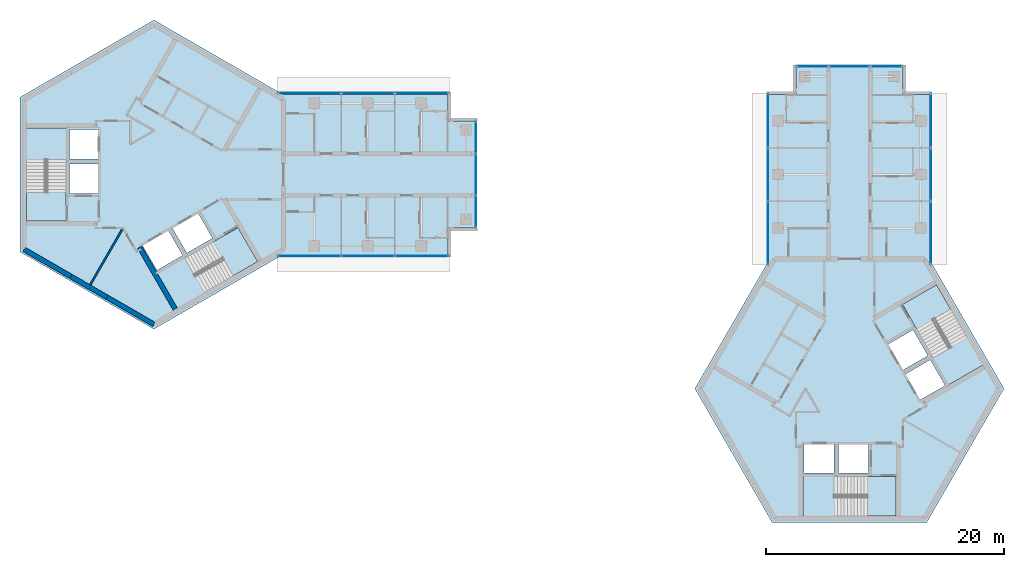
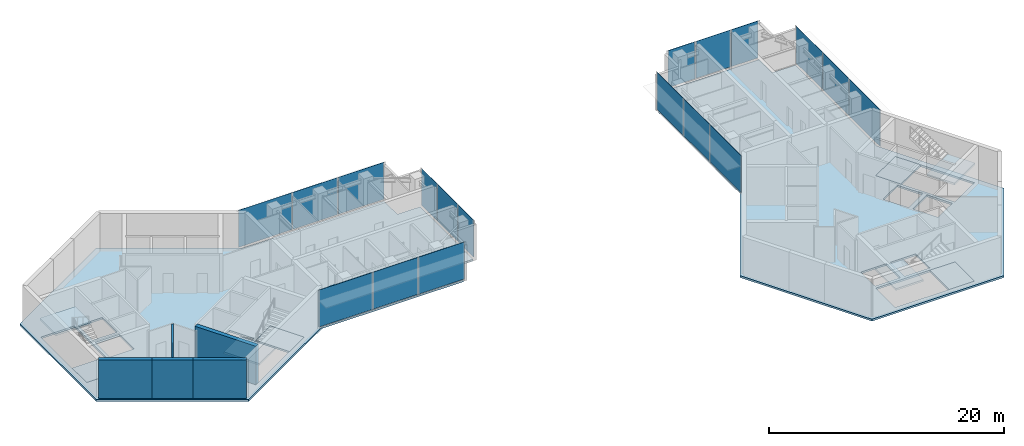
# One storey, part 4 of 11: 18 plates, 10 slabs, 5 walls, 10 elements without a shape of their own.
"""IFC4 building model written with IfcOpenShell, lengths in metres."""

from ifc_helpers import new_model, si_unit, direction, frame, frame_2d, origin, origin_2d, place, context, subcontext, project, spatial, polyline, rectangle, outline, extrude, material, layer, layer_set, type_object, element, aggregate, save


model = new_model("IFC4")

# Units and contexts
model_context = context("Model", 3, precision=1e-05, world=origin(), true_north=direction((0.0, 1.0)))
body_context = subcontext(model_context, "Body", "Model", "MODEL_VIEW")
ifc_project = project(units=[si_unit("LENGTHUNIT", "METRE"), si_unit("AREAUNIT", "SQUARE_METRE"), si_unit("VOLUMEUNIT", "CUBIC_METRE"), si_unit("PLANEANGLEUNIT", "RADIAN"), si_unit("MASSUNIT", "GRAM", prefix="KILO")], contexts=[model_context])

# Site, building, storey
site_placement = place(None, origin())
site = spatial("IfcSite", under=ifc_project, at=site_placement, CompositionType="ELEMENT")
building_placement = place(site_placement, origin())
building = spatial("IfcBuilding", under=site, at=building_placement, Name="Upepo Twin Towers", CompositionType="ELEMENT")
storey_placement = place(building_placement, frame((0.0, 0.0, 287.5)))
storey = spatial("IfcBuildingStorey", under=building, at=storey_placement, Name="L70", CompositionType="ELEMENT", Elevation=287.5)

# Curtain wall, plates
ifc_material_1 = material(Name="Aluminium and fritted glass", Category="aluminium")
curtain_wall_type = type_object("IfcCurtainWallType", Name="Tower curtain wall TW4, fritted glass", PredefinedType="NOTDEFINED", material=ifc_material_1)
curtain_wall_1_placement = place(storey_placement, origin())
curtain_wall_1 = element("IfcCurtainWall", 1, at=curtain_wall_1_placement, inside=storey, type_object=curtain_wall_type, Name="T1 L70 wing A flank L curtain wall", PredefinedType="NOTDEFINED")
ifc_material_2 = material(Name="Ceramic-fritted laminated glass", Category="glass")
ifc_layer_1 = layer(ifc_material_2, 0.031982421875)
ifc_layer_set_1 = layer_set([ifc_layer_1], Name="Fritted glass panel, 70 per cent dot frit, 32 mm double glazed")
plate_type_1 = type_object("IfcPlateType", Name="Fritted glass panel, 70 per cent dot frit, 32 mm double glazed", PredefinedType="CURTAIN_PANEL", material=ifc_layer_set_1)
plate_1_placement = place(storey_placement, frame((13.084716796875, 6.85009765625, 0.14990234375), z_axis=(0.0, 0.0, 1.0), x_axis=(1.0, 0.0, 0.0)))
plate_1 = element("IfcPlate", 2, at=plate_1_placement, type_object=plate_type_1, Name="T1 L70 wing A flank L curtain wall panel 1", PredefinedType="CURTAIN_PANEL", context=body_context, shape_type="SweptSolid", body=[
    extrude(rectangle(XDim=5.265380859375, YDim=0.031982421875, at=origin_2d()), origin(), (0.0, 0.0, 1.0), 3.85009765625),
])
plate_2_placement = place(storey_placement, frame((18.0, 6.85009765625, 0.14990234375), z_axis=(0.0, 0.0, 1.0), x_axis=(1.0, 0.0, 0.0)))
plate_2 = element("IfcPlate", 3, at=plate_2_placement, type_object=plate_type_1, Name="T1 L70 wing A flank L curtain wall panel 2", PredefinedType="CURTAIN_PANEL", context=body_context, shape_type="SweptSolid", body=[
    extrude(rectangle(XDim=4.43505859375, YDim=0.031982421875, at=origin_2d()), origin(), (0.0, 0.0, 1.0), 3.85009765625),
])
plate_3_placement = place(storey_placement, frame((22.53369140625, 6.85009765625, 0.14990234375), z_axis=(0.0, 0.0, 1.0), x_axis=(1.0, 0.0, 0.0)))
plate_3 = element("IfcPlate", 4, at=plate_3_placement, type_object=plate_type_1, Name="T1 L70 wing A flank L curtain wall panel 3", PredefinedType="CURTAIN_PANEL", context=body_context, shape_type="SweptSolid", body=[
    extrude(rectangle(XDim=4.50244140625, YDim=0.031982421875, at=origin_2d()), origin(), (0.0, 0.0, 1.0), 3.85009765625),
])
aggregate(curtain_wall_1, [plate_1, plate_2, plate_3])

curtain_wall_2_placement = place(storey_placement, origin())
curtain_wall_2 = element("IfcCurtainWall", 5, at=curtain_wall_2_placement, inside=storey, type_object=curtain_wall_type, Name="T1 L70 wing A flank R curtain wall", PredefinedType="NOTDEFINED")
plate_4_placement = place(storey_placement, frame((22.53369140625, -6.85009765625, 0.14990234375), z_axis=(0.0, 0.0, 1.0), x_axis=(-1.0, 0.0, 0.0)))
plate_4 = element("IfcPlate", 6, at=plate_4_placement, type_object=plate_type_1, Name="T1 L70 wing A flank R curtain wall panel 1", PredefinedType="CURTAIN_PANEL", context=body_context, shape_type="SweptSolid", body=[
    extrude(rectangle(XDim=4.50244140625, YDim=0.031982421875, at=origin_2d()), origin(), (0.0, 0.0, 1.0), 3.85009765625),
])
plate_5_placement = place(storey_placement, frame((18.0, -6.85009765625, 0.14990234375), z_axis=(0.0, 0.0, 1.0), x_axis=(-1.0, 0.0, 0.0)))
plate_5 = element("IfcPlate", 7, at=plate_5_placement, type_object=plate_type_1, Name="T1 L70 wing A flank R curtain wall panel 2", PredefinedType="CURTAIN_PANEL", context=body_context, shape_type="SweptSolid", body=[
    extrude(rectangle(XDim=4.43505859375, YDim=0.031982421875, at=origin_2d()), origin(), (0.0, 0.0, 1.0), 3.85009765625),
])
plate_6_placement = place(storey_placement, frame((13.084716796875, -6.85009765625, 0.14990234375), z_axis=(0.0, 0.0, 1.0), x_axis=(-1.0, 0.0, 0.0)))
plate_6 = element("IfcPlate", 8, at=plate_6_placement, type_object=plate_type_1, Name="T1 L70 wing A flank R curtain wall panel 3", PredefinedType="CURTAIN_PANEL", context=body_context, shape_type="SweptSolid", body=[
    extrude(rectangle(XDim=5.265380859375, YDim=0.031982421875, at=origin_2d()), origin(), (0.0, 0.0, 1.0), 3.85009765625),
])
aggregate(curtain_wall_2, [plate_4, plate_5, plate_6])

# Curtain wall, plate
curtain_wall_3_placement = place(storey_placement, origin())
curtain_wall_3 = element("IfcCurtainWall", 9, at=curtain_wall_3_placement, inside=storey, type_object=curtain_wall_type, Name="T1 L70 wing A nose curtain wall", PredefinedType="NOTDEFINED")
plate_7_placement = place(storey_placement, frame((27.10009765625, 0.0, 0.14990234375), z_axis=(0.0, 0.0, 1.0), x_axis=(0.0, 1.0, 0.0)))
plate_7 = element("IfcPlate", 10, at=plate_7_placement, type_object=plate_type_1, Name="T1 L70 wing A nose curtain wall panel 2", PredefinedType="CURTAIN_PANEL", context=body_context, shape_type="SweptSolid", body=[
    extrude(rectangle(XDim=3.43505859375, YDim=0.031982421875, at=origin_2d()), origin(), (0.0, 0.0, 1.0), 3.85009765625),
])

# Curtain wall, plates
curtain_wall_4_placement = place(storey_placement, origin())
curtain_wall_4 = element("IfcCurtainWall", 11, at=curtain_wall_4_placement, inside=storey, type_object=curtain_wall_type, Name="T2 L70 wing A flank L curtain wall", PredefinedType="NOTDEFINED")
plate_8_placement = place(storey_placement, frame((51.64990234375, -4.915283203125, 0.14990234375), z_axis=(0.0, 0.0, 1.0), x_axis=(0.0, 1.0, 0.0)))
plate_8 = element("IfcPlate", 12, at=plate_8_placement, type_object=plate_type_1, Name="T2 L70 wing A flank L curtain wall panel 1", PredefinedType="CURTAIN_PANEL", context=body_context, shape_type="SweptSolid", body=[
    extrude(rectangle(XDim=5.265380859375, YDim=0.031982421875, at=origin_2d()), origin(), (0.0, 0.0, 1.0), 3.85009765625),
])
plate_9_placement = place(storey_placement, frame((51.64990234375, 0.0, 0.14990234375), z_axis=(0.0, 0.0, 1.0), x_axis=(0.0, 1.0, 0.0)))
plate_9 = element("IfcPlate", 13, at=plate_9_placement, type_object=plate_type_1, Name="T2 L70 wing A flank L curtain wall panel 2", PredefinedType="CURTAIN_PANEL", context=body_context, shape_type="SweptSolid", body=[
    extrude(rectangle(XDim=4.43505859375, YDim=0.031982421875, at=origin_2d()), origin(), (0.0, 0.0, 1.0), 3.85009765625),
])
plate_10_placement = place(storey_placement, frame((51.64990234375, 4.53369140625, 0.14990234375), z_axis=(0.0, 0.0, 1.0), x_axis=(0.0, 1.0, 0.0)))
plate_10 = element("IfcPlate", 14, at=plate_10_placement, type_object=plate_type_1, Name="T2 L70 wing A flank L curtain wall panel 3", PredefinedType="CURTAIN_PANEL", context=body_context, shape_type="SweptSolid", body=[
    extrude(rectangle(XDim=4.50244140625, YDim=0.031982421875, at=origin_2d()), origin(), (0.0, 0.0, 1.0), 3.85009765625),
])
aggregate(curtain_wall_4, [plate_8, plate_9, plate_10])

curtain_wall_5_placement = place(storey_placement, origin())
curtain_wall_5 = element("IfcCurtainWall", 15, at=curtain_wall_5_placement, inside=storey, type_object=curtain_wall_type, Name="T2 L70 wing A flank R curtain wall", PredefinedType="NOTDEFINED")
plate_11_placement = place(storey_placement, frame((65.35009765625, 4.53369140625, 0.14990234375), z_axis=(0.0, 0.0, 1.0), x_axis=(0.0, -1.0, 0.0)))
plate_11 = element("IfcPlate", 16, at=plate_11_placement, type_object=plate_type_1, Name="T2 L70 wing A flank R curtain wall panel 1", PredefinedType="CURTAIN_PANEL", context=body_context, shape_type="SweptSolid", body=[
    extrude(rectangle(XDim=4.50244140625, YDim=0.031982421875, at=origin_2d()), origin(), (0.0, 0.0, 1.0), 3.85009765625),
])
plate_12_placement = place(storey_placement, frame((65.35009765625, 0.0, 0.14990234375), z_axis=(0.0, 0.0, 1.0), x_axis=(0.0, -1.0, 0.0)))
plate_12 = element("IfcPlate", 17, at=plate_12_placement, type_object=plate_type_1, Name="T2 L70 wing A flank R curtain wall panel 2", PredefinedType="CURTAIN_PANEL", context=body_context, shape_type="SweptSolid", body=[
    extrude(rectangle(XDim=4.43505859375, YDim=0.031982421875, at=origin_2d()), origin(), (0.0, 0.0, 1.0), 3.85009765625),
])
plate_13_placement = place(storey_placement, frame((65.35009765625, -4.915283203125, 0.14990234375), z_axis=(0.0, 0.0, 1.0), x_axis=(0.0, -1.0, 0.0)))
plate_13 = element("IfcPlate", 18, at=plate_13_placement, type_object=plate_type_1, Name="T2 L70 wing A flank R curtain wall panel 3", PredefinedType="CURTAIN_PANEL", context=body_context, shape_type="SweptSolid", body=[
    extrude(rectangle(XDim=5.265380859375, YDim=0.031982421875, at=origin_2d()), origin(), (0.0, 0.0, 1.0), 3.85009765625),
])
aggregate(curtain_wall_5, [plate_11, plate_12, plate_13])

# Curtain wall, plate
curtain_wall_6_placement = place(storey_placement, origin())
curtain_wall_6 = element("IfcCurtainWall", 19, at=curtain_wall_6_placement, inside=storey, type_object=curtain_wall_type, Name="T2 L70 wing A nose curtain wall", PredefinedType="NOTDEFINED")
plate_14_placement = place(storey_placement, frame((58.5, 9.10009765625, 0.14990234375), z_axis=(0.0, 0.0, 1.0), x_axis=(-1.0, 0.0, 0.0)))
plate_14 = element("IfcPlate", 20, at=plate_14_placement, type_object=plate_type_1, Name="T2 L70 wing A nose curtain wall panel 2", PredefinedType="CURTAIN_PANEL", context=body_context, shape_type="SweptSolid", body=[
    extrude(rectangle(XDim=3.43505859375, YDim=0.031982421875, at=origin_2d()), origin(), (0.0, 0.0, 1.0), 3.85009765625),
])

# Plate
ifc_material_3 = material(Name="Clear laminated glass in opening sash", Category="glass")
ifc_layer_2 = layer(ifc_material_3, 0.031982421875)
ifc_layer_set_2 = layer_set([ifc_layer_2], Name="Operable glass panel, 32 mm double glazed")
plate_type_2 = type_object("IfcPlateType", Name="Operable glass panel, 32 mm double glazed", PredefinedType="CURTAIN_PANEL", material=ifc_layer_set_2)
plate_15_placement = place(storey_placement, frame((27.10009765625, -3.108642578125, 0.14990234375), z_axis=(0.0, 0.0, 1.0), x_axis=(0.0, 1.0, 0.0)))
plate_15 = element("IfcPlate", 21, at=plate_15_placement, type_object=plate_type_2, Name="T1 L70 wing A nose curtain wall panel 1", PredefinedType="CURTAIN_PANEL", context=body_context, shape_type="SweptSolid", body=[
    extrude(rectangle(XDim=2.652587890625, YDim=0.031982421875, at=origin_2d()), origin(), (0.0, 0.0, 1.0), 3.85009765625),
])

plate_16_placement = place(storey_placement, frame((27.10009765625, 3.108642578125, 0.14990234375), z_axis=(0.0, 0.0, 1.0), x_axis=(0.0, 1.0, 0.0)))
plate_16 = element("IfcPlate", 22, at=plate_16_placement, type_object=plate_type_2, Name="T1 L70 wing A nose curtain wall panel 3", PredefinedType="CURTAIN_PANEL", context=body_context, shape_type="SweptSolid", body=[
    extrude(rectangle(XDim=2.652587890625, YDim=0.031982421875, at=origin_2d()), origin(), (0.0, 0.0, 1.0), 3.85009765625),
])

aggregate(curtain_wall_3, [plate_15, plate_7, plate_16])

plate_17_placement = place(storey_placement, frame((61.608642578125, 9.10009765625, 0.14990234375), z_axis=(0.0, 0.0, 1.0), x_axis=(-1.0, 0.0, 0.0)))
plate_17 = element("IfcPlate", 23, at=plate_17_placement, type_object=plate_type_2, Name="T2 L70 wing A nose curtain wall panel 1", PredefinedType="CURTAIN_PANEL", context=body_context, shape_type="SweptSolid", body=[
    extrude(rectangle(XDim=2.652587890625, YDim=0.031982421875, at=origin_2d()), origin(), (0.0, 0.0, 1.0), 3.85009765625),
])

plate_18_placement = place(storey_placement, frame((55.391357421875, 9.10009765625, 0.14990234375), z_axis=(0.0, 0.0, 1.0), x_axis=(-1.0, 0.0, 0.0)))
plate_18 = element("IfcPlate", 24, at=plate_18_placement, type_object=plate_type_2, Name="T2 L70 wing A nose curtain wall panel 3", PredefinedType="CURTAIN_PANEL", context=body_context, shape_type="SweptSolid", body=[
    extrude(rectangle(XDim=2.652587890625, YDim=0.031982421875, at=origin_2d()), origin(), (0.0, 0.0, 1.0), 3.85009765625),
])

aggregate(curtain_wall_6, [plate_17, plate_14, plate_18])

# Stair, slabs
ifc_material_4 = material(Name="Concrete C40/50", Category="concrete")
stair_type = type_object("IfcStairType", Name="Core stair, two flights", PredefinedType="HALF_TURN_STAIR", material=ifc_material_4)
stair_1_placement = place(storey_placement, origin())
stair_1 = element("IfcStair", 25, at=stair_1_placement, inside=storey, type_object=stair_type, Name="T1 stair S1 L70", PredefinedType="HALF_TURN_STAIR")
ifc_material_5 = material(Name="Concrete C40/50", Category="concrete")
ifc_layer_3 = layer(ifc_material_5, 0.199951171875)
ifc_layer_set_3 = layer_set([ifc_layer_3], Name="Concrete C40/50")
slab_type_1 = type_object("IfcSlabType", Name="Stair landing 200 RC", PredefinedType="LANDING", material=ifc_layer_set_3)
slab_1_placement = place(storey_placement, frame((0.0, 0.0, -0.199951171875)))
slab_1 = element("IfcSlab", 26, at=slab_1_placement, type_object=slab_type_1, Name="Stair S1 landing 1", PredefinedType="LANDING", context=body_context, shape_type="SweptSolid", body=[
    extrude(outline(polyline([(-7.39990234375, -1.419921875), (-10.708251953125, -1.419921875), (-10.708251953125, -3.89990234375), (-7.39990234375, -3.89990234375), (-7.39990234375, -1.419921875)])), origin(), (0.0, 0.0, 1.0), 0.199951171875),
])
slab_2_placement = place(storey_placement, frame((0.0, 0.0, 1.800048828125)))
slab_2 = element("IfcSlab", 27, at=slab_2_placement, type_object=slab_type_1, Name="Stair S1 landing 2", PredefinedType="LANDING", context=body_context, shape_type="SweptSolid", body=[
    extrude(outline(polyline([(-7.300048828125, 3.89990234375), (-10.808349609375, 3.89990234375), (-10.808349609375, 1.179931640625), (-7.300048828125, 1.179931640625), (-7.300048828125, 3.89990234375)])), origin(), (0.0, 0.0, 1.0), 0.199951171875),
])
aggregate(stair_1, [slab_1, slab_2])

stair_2_placement = place(storey_placement, origin())
stair_2 = element("IfcStair", 28, at=stair_2_placement, inside=storey, type_object=stair_type, Name="T1 stair S2 L70", PredefinedType="HALF_TURN_STAIR")
slab_3_placement = place(storey_placement, frame((0.0, 0.0, -0.199951171875)))
slab_3 = element("IfcSlab", 29, at=slab_3_placement, type_object=slab_type_1, Name="Stair S2 landing 1", PredefinedType="LANDING", context=body_context, shape_type="SweptSolid", body=[
    extrude(outline(polyline([(4.9296875, -5.698486328125), (6.583984375, -8.563720703125), (8.731689453125, -7.32373046875), (7.077392578125, -4.45849609375), (4.9296875, -5.698486328125)])), origin(), (0.0, 0.0, 1.0), 0.199951171875),
])
slab_4_placement = place(storey_placement, frame((0.0, 0.0, 1.800048828125)))
slab_4 = element("IfcSlab", 30, at=slab_4_placement, type_object=slab_type_1, Name="Stair S2 landing 2", PredefinedType="LANDING", context=body_context, shape_type="SweptSolid", body=[
    extrude(outline(polyline([(0.2724609375, -8.27197265625), (2.026611328125, -11.310302734375), (4.38232421875, -9.9501953125), (2.628173828125, -6.911865234375), (0.2724609375, -8.27197265625)])), origin(), (0.0, 0.0, 1.0), 0.199951171875),
])
aggregate(stair_2, [slab_3, slab_4])

stair_3_placement = place(storey_placement, origin())
stair_3 = element("IfcStair", 31, at=stair_3_placement, inside=storey, type_object=stair_type, Name="T2 stair S1 L70", PredefinedType="HALF_TURN_STAIR")
slab_5_placement = place(storey_placement, frame((0.0, 0.0, -0.199951171875)))
slab_5 = element("IfcSlab", 32, at=slab_5_placement, type_object=slab_type_1, Name="Stair S1 landing 1", PredefinedType="LANDING", context=body_context, shape_type="SweptSolid", body=[
    extrude(outline(polyline([(59.919921875, -25.39990234375), (59.919921875, -28.708251953125), (62.39990234375, -28.708251953125), (62.39990234375, -25.39990234375), (59.919921875, -25.39990234375)])), origin(), (0.0, 0.0, 1.0), 0.199951171875),
])
slab_6_placement = place(storey_placement, frame((0.0, 0.0, 1.800048828125)))
slab_6 = element("IfcSlab", 33, at=slab_6_placement, type_object=slab_type_1, Name="Stair S1 landing 2", PredefinedType="LANDING", context=body_context, shape_type="SweptSolid", body=[
    extrude(outline(polyline([(54.60009765625, -25.300048828125), (54.60009765625, -28.808349609375), (57.320068359375, -28.808349609375), (57.320068359375, -25.300048828125), (54.60009765625, -25.300048828125)])), origin(), (0.0, 0.0, 1.0), 0.199951171875),
])
aggregate(stair_3, [slab_5, slab_6])

stair_4_placement = place(storey_placement, origin())
stair_4 = element("IfcStair", 34, at=stair_4_placement, inside=storey, type_object=stair_type, Name="T2 stair S2 L70", PredefinedType="HALF_TURN_STAIR")
slab_7_placement = place(storey_placement, frame((0.0, 0.0, -0.199951171875)))
slab_7 = element("IfcSlab", 35, at=slab_7_placement, type_object=slab_type_1, Name="Stair S2 landing 1", PredefinedType="LANDING", context=body_context, shape_type="SweptSolid", body=[
    extrude(outline(polyline([(64.198486328125, -13.0703125), (67.063720703125, -11.416015625), (65.82373046875, -9.268310546875), (62.95849609375, -10.922607421875), (64.198486328125, -13.0703125)])), origin(), (0.0, 0.0, 1.0), 0.199951171875),
])
slab_8_placement = place(storey_placement, frame((0.0, 0.0, 1.800048828125)))
slab_8 = element("IfcSlab", 36, at=slab_8_placement, type_object=slab_type_1, Name="Stair S2 landing 2", PredefinedType="LANDING", context=body_context, shape_type="SweptSolid", body=[
    extrude(outline(polyline([(66.77197265625, -17.7275390625), (69.810302734375, -15.973388671875), (68.4501953125, -13.61767578125), (65.411865234375, -15.371826171875), (66.77197265625, -17.7275390625)])), origin(), (0.0, 0.0, 1.0), 0.199951171875),
])
aggregate(stair_4, [slab_7, slab_8])

# Slabs
ifc_material_6 = material(Name="Concrete C40/50", Category="concrete")
ifc_layer_4 = layer(ifc_material_6, 0.199951171875)
ifc_layer_set_4 = layer_set([ifc_layer_4], Name="Concrete C40/50")
slab_type_2 = type_object("IfcSlabType", Name="Tower floor slab 200 RC", PredefinedType="FLOOR", material=ifc_layer_set_4)
slab_9_placement = place(storey_placement, frame((0.0, 0.0, -0.199951171875)))
element("IfcSlab", 37, at=slab_9_placement, inside=storey, type_object=slab_type_2, Name="T1 L70 floor slab", PredefinedType="FLOOR", context=body_context, shape_type="SweptSolid", body=[
    extrude(outline(polyline([(0.0, -13.0), (-11.25830078125, -6.5), (-11.25830078125, 6.5), (0.0, 13.0), (10.825439453125, 6.75), (24.75, 6.75), (24.75, 4.5), (27.0, 4.5), (27.0, -4.5), (24.75, -4.5), (24.75, -6.75), (10.825439453125, -6.75), (0.0, -13.0)]), holes=[polyline([(-4.699951171875, 3.800048828125), (-7.10009765625, 3.800048828125), (-7.10009765625, 1.300048828125), (-4.699951171875, 1.300048828125), (-4.699951171875, 3.800048828125)]), polyline([(-4.699951171875, 0.89990234375), (-7.10009765625, 0.89990234375), (-7.10009765625, -1.60009765625), (-4.699951171875, -1.60009765625), (-4.699951171875, 0.89990234375)]), polyline([(-7.39990234375, 3.89990234375), (-10.708251953125, 3.89990234375), (-10.708251953125, -3.89990234375), (-7.39990234375, -3.89990234375), (-7.39990234375, 3.89990234375)]), polyline([(-0.94091796875, -5.97021484375), (0.259033203125, -8.048828125), (2.424072265625, -6.798828125), (1.22412109375, -4.72021484375), (-0.94091796875, -5.97021484375)]), polyline([(1.570556640625, -4.520263671875), (2.7705078125, -6.598876953125), (4.935546875, -5.348876953125), (3.735595703125, -3.270263671875), (1.570556640625, -4.520263671875)]), polyline([(0.322509765625, -8.358642578125), (1.9765625, -11.2236328125), (8.731689453125, -7.32373046875), (7.077392578125, -4.45849609375), (0.322509765625, -8.358642578125)])]), origin(), (0.0, 0.0, 1.0), 0.199951171875),
])
slab_10_placement = place(storey_placement, frame((0.0, 0.0, -0.199951171875)))
element("IfcSlab", 38, at=slab_10_placement, inside=storey, type_object=slab_type_2, Name="T2 L70 floor slab", PredefinedType="FLOOR", context=body_context, shape_type="SweptSolid", body=[
    extrude(outline(polyline([(71.5, -18.0), (65.0, -29.25830078125), (52.0, -29.25830078125), (45.5, -18.0), (51.75, -7.174560546875), (51.75, 6.75), (54.0, 6.75), (54.0, 9.0), (63.0, 9.0), (63.0, 6.75), (65.25, 6.75), (65.25, -7.174560546875), (71.5, -18.0)]), holes=[polyline([(54.699951171875, -22.699951171875), (54.699951171875, -25.10009765625), (57.199951171875, -25.10009765625), (57.199951171875, -22.699951171875), (54.699951171875, -22.699951171875)]), polyline([(57.60009765625, -22.699951171875), (57.60009765625, -25.10009765625), (60.10009765625, -25.10009765625), (60.10009765625, -22.699951171875), (57.60009765625, -22.699951171875)]), polyline([(54.60009765625, -25.39990234375), (54.60009765625, -28.708251953125), (62.39990234375, -28.708251953125), (62.39990234375, -25.39990234375), (54.60009765625, -25.39990234375)]), polyline([(64.47021484375, -18.94091796875), (66.548828125, -17.740966796875), (65.298828125, -15.575927734375), (63.22021484375, -16.77587890625), (64.47021484375, -18.94091796875)]), polyline([(63.020263671875, -16.429443359375), (65.098876953125, -15.2294921875), (63.848876953125, -13.064453125), (61.770263671875, -14.264404296875), (63.020263671875, -16.429443359375)]), polyline([(66.858642578125, -17.677490234375), (69.7236328125, -16.0234375), (65.82373046875, -9.268310546875), (62.95849609375, -10.922607421875), (66.858642578125, -17.677490234375)])]), origin(), (0.0, 0.0, 1.0), 0.199951171875),
])

# Walls
ifc_material_7 = material(Name="Concrete C60/75", Category="concrete")
ifc_layer_5 = layer(ifc_material_7, 0.39990234375)
ifc_layer_set_5 = layer_set([ifc_layer_5], Name="Concrete C60/75")
wall_type_1 = type_object("IfcWallType", Name="Core wall 400 RC", PredefinedType="SHEAR", material=ifc_layer_set_5)
wall_1_placement = place(storey_placement, frame((-10.908447265625, -6.2978515625, 0.0), z_axis=(0.0, 0.0, 1.0), x_axis=(0.866034513004, -0.499984222037, 0.0)))
element("IfcWall", 39, at=wall_1_placement, inside=storey, type_object=wall_type_1, Name="T1 core wall 240 R", PredefinedType="SHEAR", context=body_context, shape_type="SweptSolid", body=[
    extrude(rectangle(XDim=4.548095703125, YDim=0.39990234375, at=frame_2d((2.27392578125, 0.0))), origin(), (0.0, 0.0, 1.0), 4.0),
])
wall_2_placement = place(storey_placement, frame((-6.9697265625, -8.57177734375, 0.0), z_axis=(0.0, 0.0, 1.0), x_axis=(0.866019471182, -0.500010275428, 0.0)))
element("IfcWall", 40, at=wall_2_placement, inside=storey, type_object=wall_type_1, Name="T1 core wall 240", PredefinedType="SHEAR", context=body_context, shape_type="SweptSolid", body=[
    extrude(rectangle(XDim=3.5, YDim=0.39990234375, at=frame_2d((1.75, 0.0))), origin(), (0.0, 0.0, 1.0), 4.0),
])
wall_3_placement = place(storey_placement, frame((-3.938720703125, -10.32177734375, 0.0), z_axis=(0.0, 0.0, 1.0), x_axis=(0.866011268655, -0.500024481964, 0.0)))
element("IfcWall", 41, at=wall_3_placement, inside=storey, type_object=wall_type_1, Name="T1 core wall 240 L", PredefinedType="SHEAR", context=body_context, shape_type="SweptSolid", body=[
    extrude(rectangle(XDim=4.548095703125, YDim=0.39990234375, at=frame_2d((2.27392578125, 0.0))), origin(), (0.0, 0.0, 1.0), 4.0),
])
ifc_material_8 = material(Name="Concrete C40/50", Category="concrete")
ifc_layer_6 = layer(ifc_material_8, 0.39990234375)
ifc_layer_set_6 = layer_set([ifc_layer_6], Name="Concrete C40/50")
wall_type_2 = type_object("IfcWallType", Name="Shaft wall 400 RC", PredefinedType="SHEAR", material=ifc_layer_set_6)
wall_4_placement = place(storey_placement, frame((-1.20068359375, -6.120361328125, 0.0), z_axis=(0.0, 0.0, 1.0), x_axis=(0.499997979876, -0.866026570101, 0.0)))
element("IfcWall", 42, at=wall_4_placement, inside=storey, type_object=wall_type_2, Name="T1 core W300 side wall S", PredefinedType="SHEAR", context=body_context, shape_type="SweptSolid", body=[
    extrude(rectangle(XDim=6.00830078125, YDim=0.39990234375, at=frame_2d((3.004150390625, 0.0))), origin(), (0.0, 0.0, 1.0), 4.0),
])
ifc_material_9 = material(Name="Gypsum board on steel studs", Category="steel")
ifc_layer_7 = layer(ifc_material_9, 0.14990234375)
ifc_layer_set_7 = layer_set([ifc_layer_7], Name="Teaching partition 150 acoustic")
wall_type_3 = type_object("IfcWallType", Name="Teaching partition 150 acoustic", PredefinedType="PARTITIONING", material=ifc_layer_set_7)
wall_5_placement = place(storey_placement, frame((-2.641357421875, -4.574951171875, 0.0), z_axis=(0.0, 0.0, 1.0), x_axis=(-0.500010688608, -0.866019232626, 0.0)))
element("IfcWall", 43, at=wall_5_placement, inside=storey, type_object=wall_type_3, Name="T1 core room partition 14", PredefinedType="PARTITIONING", context=body_context, shape_type="SweptSolid", body=[
    extrude(rectangle(XDim=5.42578125, YDim=0.14990234375, at=frame_2d((2.712890625, 0.0))), origin(), (0.0, 0.0, 1.0), 3.699951171875),
])

save(model, "model.ifc")
